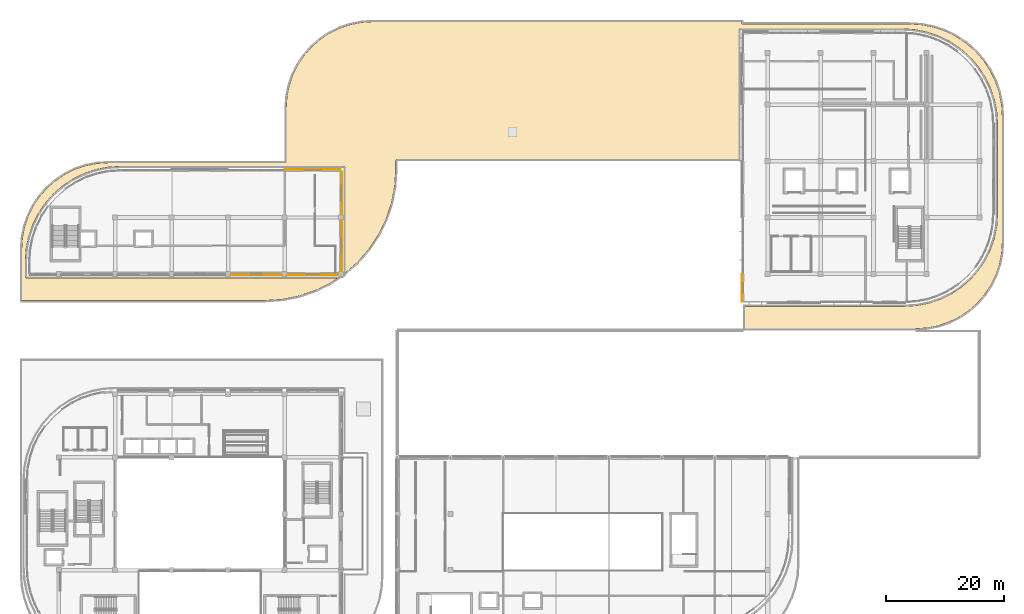
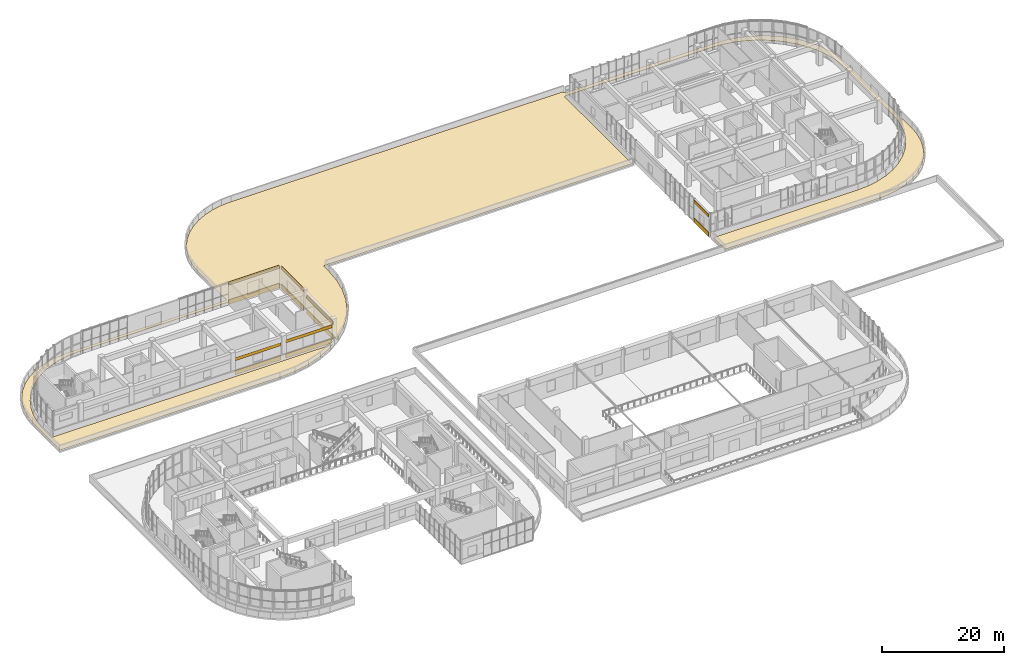
# One storey, part 62 of 67: 13 coverings.
"""IFC4 building model written with IfcOpenShell, lengths in metres."""

from ifc_helpers import new_model, si_unit, direction, frame, origin, origin_2d, place, context, subcontext, project, spatial, polyline, rectangle, outline, extrude, material, layer, layer_set, type_object, element, save


model = new_model("IFC4")

# Units and contexts
model_context = context("Model", 3, precision=1e-05, world=origin(), true_north=direction((0.0, 1.0)))
body_context = subcontext(model_context, "Body", "Model", "MODEL_VIEW")
ifc_project = project(units=[si_unit("LENGTHUNIT", "METRE"), si_unit("AREAUNIT", "SQUARE_METRE"), si_unit("VOLUMEUNIT", "CUBIC_METRE"), si_unit("PLANEANGLEUNIT", "RADIAN"), si_unit("MASSUNIT", "GRAM", prefix="KILO")], contexts=[model_context])

# Site, building, storey
site_placement = place(None, origin())
site = spatial("IfcSite", under=ifc_project, at=site_placement, CompositionType="ELEMENT")
building_placement = place(site_placement, origin())
building = spatial("IfcBuilding", under=site, at=building_placement, Name="Cendralis Terraced Arcade", CompositionType="ELEMENT")
storey_placement = place(building_placement, frame((0.0, 0.0, 15.0)))
storey = spatial("IfcBuildingStorey", under=building, at=storey_placement, Name="L03", CompositionType="ELEMENT", Elevation=15.0)

# Coverings
ifc_material_1 = material(Name="Precast concrete f'c 40 MPa", Category="concrete")
ifc_layer_1 = layer(ifc_material_1, 0.06494140625, Name="COV-CLAD-GRC-65")
ifc_layer_set_1 = layer_set([ifc_layer_1], Name="Precast concrete f'c 40 MPa")
covering_type_1 = type_object("IfcCoveringType", Name="COV-CLAD-GRC-65", PredefinedType="CLADDING", material=ifc_layer_set_1)
covering_1_placement = place(storey_placement, frame((125.820068359375, 67.199951171875, 0.0), z_axis=(0.0, 0.0, 1.0), x_axis=(0.0, 1.0, 0.0)))
element("IfcCovering", 1, at=covering_1_placement, inside=storey, type_object=covering_type_1, Name="Banded Precast Stone Spandrel Cladding L03-339", PredefinedType="CLADDING", context=body_context, shape_type="SweptSolid", body=[
    extrude(rectangle(XDim=4.739990234375, YDim=0.06494140625, at=origin_2d()), origin(), (0.0, 0.0, 1.0), 0.89990234375),
])
covering_2_placement = place(storey_placement, frame((125.820068359375, 67.199951171875, 3.89990234375), z_axis=(0.0, 0.0, 1.0), x_axis=(0.0, 1.0, 0.0)))
element("IfcCovering", 2, at=covering_2_placement, inside=storey, type_object=covering_type_1, Name="Banded Precast Stone Lintel Cladding L03-340", PredefinedType="CLADDING", context=body_context, shape_type="SweptSolid", body=[
    extrude(rectangle(XDim=4.739990234375, YDim=0.06494140625, at=origin_2d()), origin(), (0.0, 0.0, 1.0), 0.60009765625),
])
covering_3_placement = place(storey_placement, frame((52.800048828125, 87.3798828125, 0.0), z_axis=(0.0, 0.0, 1.0), x_axis=(1.0, 0.0, 0.0)))
element("IfcCovering", 3, at=covering_3_placement, inside=storey, type_object=covering_type_1, Name="Banded Precast Stone Spandrel Cladding L03-413", PredefinedType="CLADDING", context=body_context, shape_type="SweptSolid", body=[
    extrude(rectangle(XDim=9.5400390625, YDim=0.06494140625, at=origin_2d()), origin(), (0.0, 0.0, 1.0), 0.89990234375),
])
covering_4_placement = place(storey_placement, frame((52.800048828125, 87.3798828125, 3.89990234375), z_axis=(0.0, 0.0, 1.0), x_axis=(1.0, 0.0, 0.0)))
element("IfcCovering", 4, at=covering_4_placement, inside=storey, type_object=covering_type_1, Name="Banded Precast Stone Lintel Cladding L03-414", PredefinedType="CLADDING", context=body_context, shape_type="SweptSolid", body=[
    extrude(rectangle(XDim=9.5400390625, YDim=0.06494140625, at=origin_2d()), origin(), (0.0, 0.0, 1.0), 0.60009765625),
])
covering_5_placement = place(storey_placement, frame((57.780029296875, 83.326416015625, 0.0), z_axis=(0.0, 0.0, 1.0), x_axis=(0.0, -1.0, 0.0)))
element("IfcCovering", 5, at=covering_5_placement, inside=storey, type_object=covering_type_1, Name="Banded Precast Stone Spandrel Cladding L03-415", PredefinedType="CLADDING", context=body_context, shape_type="SweptSolid", body=[
    extrude(rectangle(XDim=7.346923828125, YDim=0.06494140625, at=origin_2d()), origin(), (0.0, 0.0, 1.0), 0.89990234375),
])
covering_6_placement = place(storey_placement, frame((57.780029296875, 83.326416015625, 3.89990234375), z_axis=(0.0, 0.0, 1.0), x_axis=(0.0, -1.0, 0.0)))
element("IfcCovering", 6, at=covering_6_placement, inside=storey, type_object=covering_type_1, Name="Banded Precast Stone Lintel Cladding L03-416", PredefinedType="CLADDING", context=body_context, shape_type="SweptSolid", body=[
    extrude(rectangle(XDim=7.346923828125, YDim=0.06494140625, at=origin_2d()), origin(), (0.0, 0.0, 1.0), 0.60009765625),
])
covering_7_placement = place(storey_placement, frame((57.780029296875, 74.39990234375, 0.0), z_axis=(0.0, 0.0, 1.0), x_axis=(0.0, -1.0, 0.0)))
element("IfcCovering", 7, at=covering_7_placement, inside=storey, type_object=covering_type_1, Name="Banded Precast Stone Spandrel Cladding L03-417", PredefinedType="CLADDING", context=body_context, shape_type="SweptSolid", body=[
    extrude(rectangle(XDim=8.694091796875, YDim=0.06494140625, at=origin_2d()), origin(), (0.0, 0.0, 1.0), 0.89990234375),
])
covering_8_placement = place(storey_placement, frame((57.780029296875, 74.39990234375, 3.044921875), z_axis=(0.0, 0.0, 1.0), x_axis=(0.0, -1.0, 0.0)))
element("IfcCovering", 8, at=covering_8_placement, inside=storey, type_object=covering_type_1, Name="Banded Precast Stone Lintel Cladding L03-418", PredefinedType="CLADDING", context=body_context, shape_type="SweptSolid", body=[
    extrude(rectangle(XDim=8.694091796875, YDim=0.06494140625, at=origin_2d()), origin(), (0.0, 0.0, 1.0), 0.60009765625),
])
covering_9_placement = place(storey_placement, frame((52.800048828125, 69.419921875, 0.0), z_axis=(0.0, 0.0, 1.0), x_axis=(-1.0, 0.0, 0.0)))
element("IfcCovering", 9, at=covering_9_placement, inside=storey, type_object=covering_type_1, Name="Banded Precast Stone Spandrel Cladding L03-419", PredefinedType="CLADDING", context=body_context, shape_type="SweptSolid", body=[
    extrude(rectangle(XDim=8.694091796875, YDim=0.06494140625, at=origin_2d()), origin(), (0.0, 0.0, 1.0), 0.89990234375),
])
covering_10_placement = place(storey_placement, frame((52.800048828125, 69.419921875, 3.044921875), z_axis=(0.0, 0.0, 1.0), x_axis=(-1.0, 0.0, 0.0)))
element("IfcCovering", 10, at=covering_10_placement, inside=storey, type_object=covering_type_1, Name="Banded Precast Stone Lintel Cladding L03-420", PredefinedType="CLADDING", context=body_context, shape_type="SweptSolid", body=[
    extrude(rectangle(XDim=8.694091796875, YDim=0.06494140625, at=origin_2d()), origin(), (0.0, 0.0, 1.0), 0.60009765625),
])
covering_11_placement = place(storey_placement, frame((43.199951171875, 69.419921875, 0.0), z_axis=(0.0, 0.0, 1.0), x_axis=(-1.0, 0.0, 0.0)))
element("IfcCovering", 11, at=covering_11_placement, inside=storey, type_object=covering_type_1, Name="Banded Precast Stone Spandrel Cladding L03-421", PredefinedType="CLADDING", context=body_context, shape_type="SweptSolid", body=[
    extrude(rectangle(XDim=8.694091796875, YDim=0.06494140625, at=origin_2d()), origin(), (0.0, 0.0, 1.0), 0.89990234375),
])
covering_12_placement = place(storey_placement, frame((43.199951171875, 69.419921875, 2.83984375), z_axis=(0.0, 0.0, 1.0), x_axis=(-1.0, 0.0, 0.0)))
element("IfcCovering", 12, at=covering_12_placement, inside=storey, type_object=covering_type_1, Name="Banded Precast Stone Lintel Cladding L03-422", PredefinedType="CLADDING", context=body_context, shape_type="SweptSolid", body=[
    extrude(rectangle(XDim=8.694091796875, YDim=0.06494140625, at=origin_2d()), origin(), (0.0, 0.0, 1.0), 0.60009765625),
])
ifc_material_2 = material(Name="TPO insulated waterproofing membrane")
ifc_layer_2 = layer(ifc_material_2, 0.080078125, Name="COV-ROOF-MEM-80")
ifc_layer_set_2 = layer_set([ifc_layer_2], Name="TPO insulated waterproofing membrane")
covering_type_2 = type_object("IfcCoveringType", Name="COV-ROOF-MEM-80", PredefinedType="ROOFING", material=ifc_layer_set_2)
covering_13_placement = place(storey_placement, origin())
element("IfcCovering", 13, at=covering_13_placement, inside=storey, type_object=covering_type_2, Name="Insulated Waterproofing Roof Membrane L03-04", PredefinedType="ROOFING", context=body_context, shape_type="SweptSolid", body=[
    extrude(outline(polyline([(58.300048828125, 69.73681640625), (58.300048828125, 87.6201171875), (58.298583984375, 87.6474609375), (58.294677734375, 87.674560546875), (58.287841796875, 87.701416015625), (58.27880859375, 87.727294921875), (58.266845703125, 87.751953125), (58.252685546875, 87.775634765625), (58.236328125, 87.797607421875), (58.218017578125, 87.818115234375), (58.197509765625, 87.83642578125), (58.175537109375, 87.852783203125), (58.152099609375, 87.866943359375), (58.127197265625, 87.878662109375), (58.101318359375, 87.887939453125), (58.07470703125, 87.89453125), (58.04736328125, 87.898681640625), (58.02001953125, 87.89990234375), (20.086181640625, 87.89990234375), (20.06787109375, 87.8994140625), (18.003662109375, 87.76416015625), (17.96728515625, 87.75927734375), (15.9248046875, 87.35302734375), (15.889404296875, 87.343505859375), (13.917236328125, 86.674072265625), (13.883544921875, 86.66015625), (12.015625, 85.739013671875), (11.98388671875, 85.720703125), (10.25244140625, 84.563720703125), (10.223388671875, 84.54150390625), (8.65771484375, 83.168212890625), (8.631591796875, 83.142333984375), (7.258544921875, 81.57666015625), (7.236328125, 81.547607421875), (6.079345703125, 79.81591796875), (6.06103515625, 79.7841796875), (5.139892578125, 77.91650390625), (5.1259765625, 77.8828125), (4.456298828125, 75.91064453125), (4.447021484375, 75.875244140625), (4.040771484375, 73.832763671875), (4.035888671875, 73.79638671875), (3.900634765625, 71.732177734375), (3.89990234375, 71.713623046875), (3.89990234375, 69.179931640625), (3.9013671875, 69.152587890625), (3.905517578125, 69.12548828125), (3.912109375, 69.0986328125), (3.92138671875, 69.07275390625), (3.93310546875, 69.048095703125), (3.947265625, 69.0244140625), (3.963623046875, 69.00244140625), (3.98193359375, 68.98193359375), (4.00244140625, 68.963623046875), (4.0244140625, 68.947265625), (4.048095703125, 68.93310546875), (4.07275390625, 68.92138671875), (4.0986328125, 68.912109375), (4.12548828125, 68.905517578125), (4.152587890625, 68.9013671875), (4.179931640625, 68.89990234375), (57.07080078125, 68.89990234375), (55.809814453125, 68.057373046875), (53.202880859375, 66.77197265625), (50.45068359375, 65.837646484375), (47.60009765625, 65.270751953125), (44.69091796875, 65.080078125), (3.280029296875, 65.080078125), (3.280029296875, 73.790771484375), (3.406494140625, 75.72119140625), (3.781982421875, 77.609619140625), (4.40087890625, 79.432861328125), (5.252685546875, 81.15966796875), (6.322265625, 82.760498046875), (7.591796875, 84.208251953125), (9.039306640625, 85.477783203125), (10.640380859375, 86.54736328125), (12.3671875, 87.39892578125), (14.190185546875, 88.017822265625), (16.07861328125, 88.3935546875), (18.00927734375, 88.52001953125), (48.0, 88.52001953125), (48.02734375, 88.521240234375), (48.0546875, 88.525390625), (48.081298828125, 88.531982421875), (48.107177734375, 88.541259765625), (48.132080078125, 88.552978515625), (48.155517578125, 88.567138671875), (48.177490234375, 88.58349609375), (48.197998046875, 88.60205078125), (48.21630859375, 88.622314453125), (48.23291015625, 88.644287109375), (48.246826171875, 88.66796875), (48.2587890625, 88.69287109375), (48.267822265625, 88.71875), (48.274658203125, 88.745361328125), (48.27880859375, 88.772705078125), (48.280029296875, 88.800048828125), (48.280029296875, 97.790771484375), (48.406494140625, 99.72119140625), (48.781982421875, 101.609619140625), (49.40087890625, 103.432861328125), (50.252685546875, 105.15966796875), (51.322265625, 106.760498046875), (52.591796875, 108.208251953125), (54.039306640625, 109.477783203125), (55.640380859375, 110.54736328125), (57.3671875, 111.39892578125), (59.190185546875, 112.017822265625), (61.07861328125, 112.3935546875), (63.00927734375, 112.52001953125), (125.719970703125, 112.52001953125), (125.719970703125, 112.39990234375), (125.72119140625, 112.37255859375), (125.725341796875, 112.345458984375), (125.732177734375, 112.318603515625), (125.7412109375, 112.292724609375), (125.753173828125, 112.26806640625), (125.76708984375, 112.244384765625), (125.78369140625, 112.222412109375), (125.802001953125, 112.201904296875), (125.822509765625, 112.18359375), (125.844482421875, 112.167236328125), (125.867919921875, 112.153076171875), (125.892822265625, 112.141357421875), (125.918701171875, 112.132080078125), (125.9453125, 112.12548828125), (125.97265625, 112.121337890625), (126.0, 112.1201171875), (154.390869140625, 112.1201171875), (156.451904296875, 111.98486328125), (158.468505859375, 111.583740234375), (160.41552734375, 110.9228515625), (162.259765625, 110.013427734375), (163.969482421875, 108.87109375), (165.515380859375, 107.515380859375), (166.87109375, 105.969482421875), (168.013427734375, 104.259765625), (168.9228515625, 102.41552734375), (169.583740234375, 100.468505859375), (169.98486328125, 98.451904296875), (170.1201171875, 96.390869140625), (170.1201171875, 75.00927734375), (169.993408203125, 73.07861328125), (169.617919921875, 71.190185546875), (168.9990234375, 69.3671875), (168.1474609375, 67.640380859375), (167.07763671875, 66.039306640625), (165.80810546875, 64.591796875), (164.360595703125, 63.322265625), (162.759765625, 62.252685546875), (161.032958984375, 61.40087890625), (159.209716796875, 60.781982421875), (157.3212890625, 60.406494140625), (155.381591796875, 60.279296875), (155.35400390625, 60.276123046875), (155.326904296875, 60.270263671875), (155.300537109375, 60.26171875), (155.296630859375, 60.260009765625), (126.280029296875, 60.260009765625), (126.280029296875, 64.10009765625), (153.61376953125, 64.10009765625), (153.632080078125, 64.1005859375), (155.631103515625, 64.231689453125), (155.66748046875, 64.236328125), (157.64599609375, 64.6298828125), (157.68115234375, 64.639404296875), (159.59130859375, 65.287841796875), (159.625244140625, 65.3017578125), (161.434326171875, 66.194091796875), (161.466064453125, 66.21240234375), (163.143310546875, 67.3330078125), (163.172119140625, 67.355224609375), (164.688720703125, 68.685302734375), (164.714599609375, 68.711181640625), (166.044677734375, 70.227783203125), (166.06689453125, 70.2568359375), (167.187744140625, 71.93408203125), (167.2060546875, 71.9658203125), (168.09814453125, 73.77490234375), (168.1123046875, 73.80859375), (168.760498046875, 75.71875), (168.77001953125, 75.754150390625), (169.16357421875, 77.732421875), (169.16845703125, 77.768798828125), (169.29931640625, 79.767822265625), (169.300048828125, 79.786376953125), (169.300048828125, 95.11376953125), (169.29931640625, 95.132080078125), (169.1640625, 97.1962890625), (169.1591796875, 97.23291015625), (168.753173828125, 99.275390625), (168.74365234375, 99.310791015625), (168.07421875, 101.28271484375), (168.06005859375, 101.31640625), (167.138916015625, 103.184326171875), (167.12060546875, 103.216064453125), (165.963623046875, 104.947509765625), (165.94140625, 104.9765625), (164.568359375, 106.54248046875), (164.54248046875, 106.568359375), (162.9765625, 107.94140625), (162.947509765625, 107.963623046875), (161.216064453125, 109.12060546875), (161.184326171875, 109.138916015625), (159.31640625, 110.06005859375), (159.28271484375, 110.07421875), (157.310791015625, 110.74365234375), (157.275390625, 110.753173828125), (155.23291015625, 111.1591796875), (155.1962890625, 111.1640625), (153.132080078125, 111.29931640625), (153.11376953125, 111.300048828125), (125.580078125, 111.300048828125), (125.552490234375, 111.298583984375), (125.525390625, 111.294677734375), (125.498779296875, 111.287841796875), (125.472900390625, 111.27880859375), (125.447998046875, 111.266845703125), (125.42431640625, 111.252685546875), (125.40234375, 111.236328125), (125.382080078125, 111.218017578125), (125.363525390625, 111.197509765625), (125.34716796875, 111.175537109375), (125.3330078125, 111.152099609375), (125.3212890625, 111.127197265625), (125.31201171875, 111.101318359375), (125.305419921875, 111.07470703125), (125.30126953125, 111.04736328125), (125.300048828125, 111.02001953125), (125.300048828125, 89.080078125), (67.199951171875, 89.080078125), (67.172607421875, 89.07861328125), (67.1455078125, 89.07470703125), (67.11865234375, 89.06787109375), (67.0927734375, 89.05859375), (67.068115234375, 89.046875), (67.04443359375, 89.03271484375), (67.0224609375, 89.016357421875), (67.001953125, 88.998046875), (66.983642578125, 88.9775390625), (66.96728515625, 88.95556640625), (66.953125, 88.931884765625), (66.94140625, 88.9072265625), (66.93212890625, 88.88134765625), (66.92529296875, 88.8544921875), (66.92138671875, 88.827392578125), (66.919921875, 88.800048828125), (66.919921875, 87.30908203125), (66.729248046875, 84.39990234375), (66.162353515625, 81.54931640625), (65.22802734375, 78.797119140625), (63.942626953125, 76.190185546875), (62.327880859375, 73.773681640625), (60.41162109375, 71.58837890625), (58.300048828125, 69.73681640625)])), origin(), (0.0, 0.0, 1.0), 0.080078125),
])

save(model, "model.ifc")
